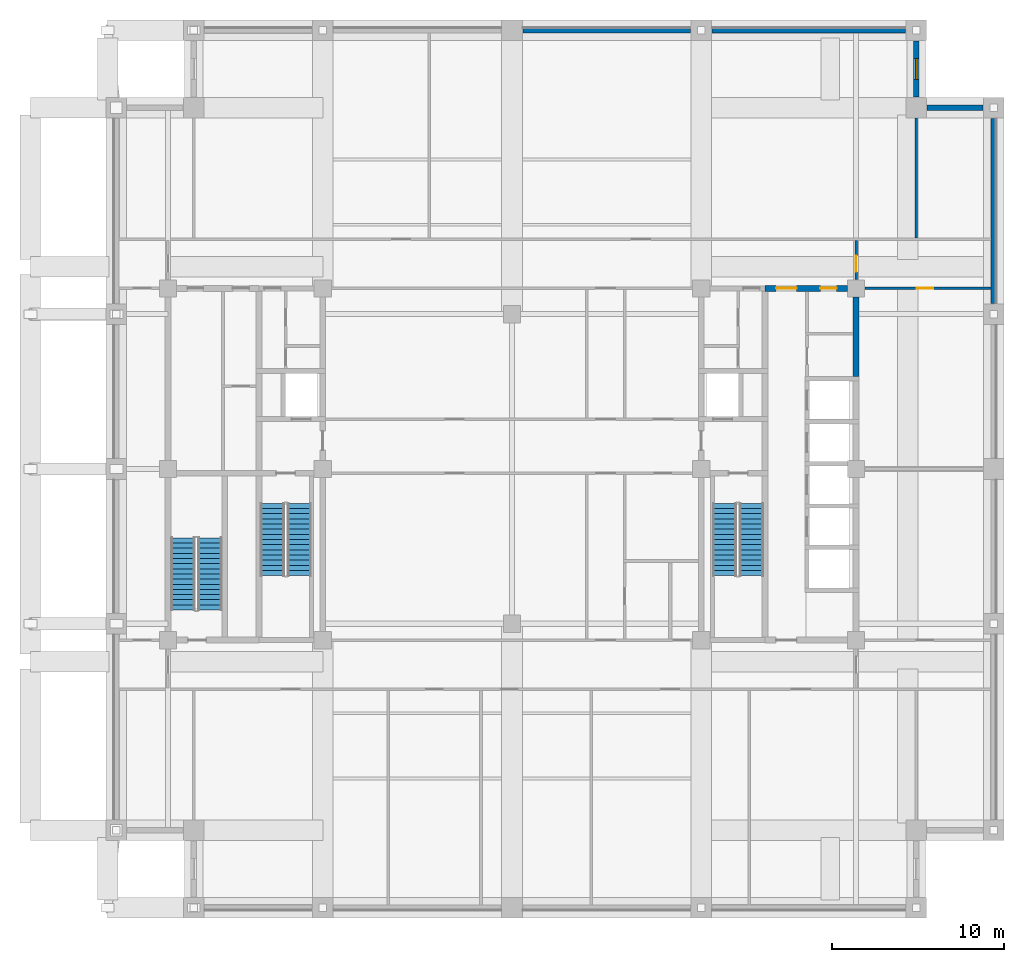
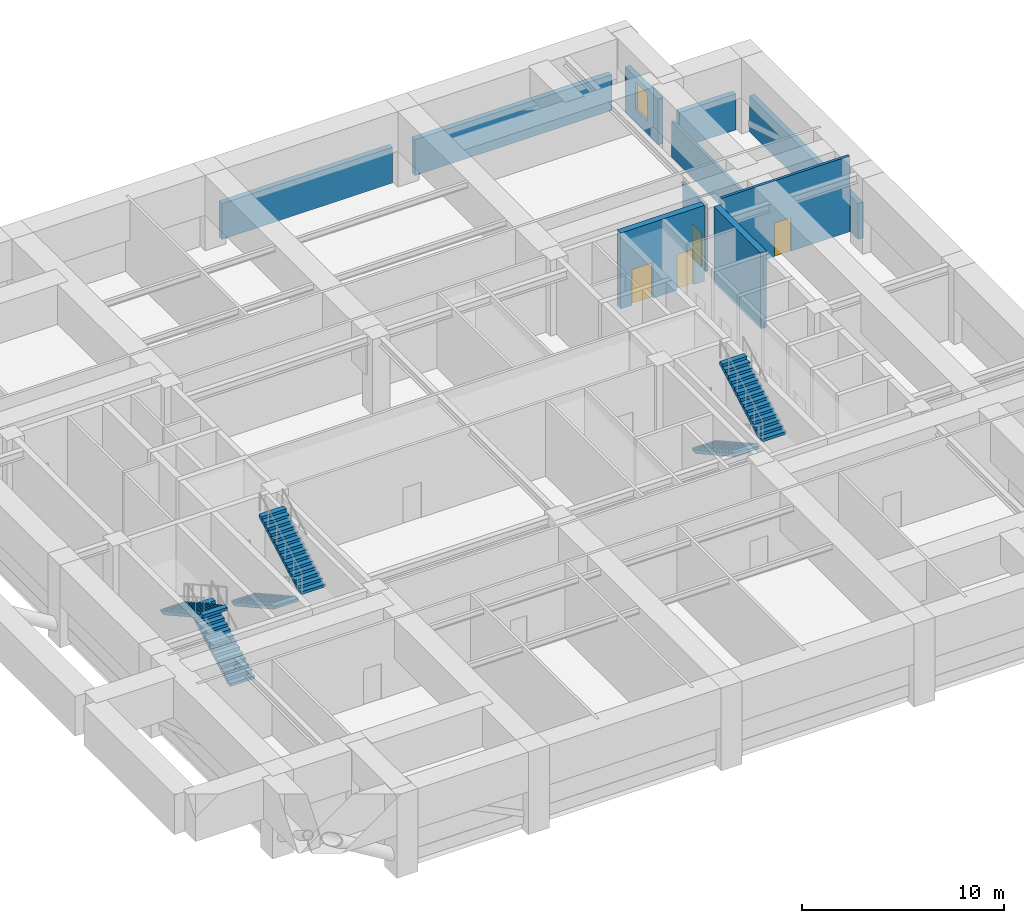
# One storey, part 6 of 11: 10 walls, 6 stair flights, 4 doors, 1 window, 5 openings, 3 elements without a shape of their own.
"""IFC4 building model written with IfcOpenShell, lengths in metres."""

import ifcopenshell
import ifcopenshell.guid

model = None  # the IFC model being written
_history = None  # IfcOwnerHistory: only IFC2X3 demands one
_inside = {}  # id of a spatial element -> (the spatial element, [elements in it])
_under = {}  # id of a project, library or spatial element -> (it, [spatial elements below it])
_declared = {}  # id of a project -> (the project, [libraries it declares])
_typed = {}  # id of a type object -> (the type object, [elements of that type])
_made_of = {}  # id of a material, layer set ... -> (it, [elements and type objects made of it])


def new_model(schema):
    """Start an empty IFC model of exactly this schema.

    Asked for "IFC4X3", IfcOpenShell would pick the latest addendum, in which some entities
    have other attributes; the version numbers below select the first issue.
    IFC2X3 requires an IfcOwnerHistory on every rooted entity: one is made here for all.
    """
    global model, _history
    if schema == "IFC4X3":
        model = ifcopenshell.file(schema_version=(4, 3, 0, 0))
    else:
        model = ifcopenshell.file(schema=schema)
    _inside.clear()
    _under.clear()
    _declared.clear()
    _typed.clear()
    _made_of.clear()
    _history = None
    if model.schema == "IFC2X3":
        org = make("IfcOrganization", Name="unknown")
        user = make(
            "IfcPersonAndOrganization",
            ThePerson=make("IfcPerson", FamilyName="unknown"),
            TheOrganization=org,
        )
        app = make(
            "IfcApplication",
            ApplicationDeveloper=org,
            Version="unknown",
            ApplicationFullName="unknown",
            ApplicationIdentifier="unknown",
        )
        _history = make(
            "IfcOwnerHistory",
            OwningUser=user,
            OwningApplication=app,
            ChangeAction="ADDED",
            CreationDate=0,
        )
    return model


def make(cls, **values):
    """One entity of the class cls with the attributes given. An attribute that is None is left unset."""
    return model.create_entity(
        cls, **{name: value for name, value in values.items() if value is not None}
    )


def rooted(cls, **values):
    """An entity with a GlobalId (a new one), such as an element, a storey or a relation."""
    return make(cls, GlobalId=ifcopenshell.guid.new(), OwnerHistory=_history, **values)


def si_unit(unit_type, name, prefix=None):
    """IfcSIUnit, for example si_unit("LENGTHUNIT", "METRE", prefix="MILLI")."""
    return make("IfcSIUnit", UnitType=unit_type, Prefix=prefix, Name=name)


def assignment(units):
    """IfcUnitAssignment: the units of a project."""
    return None if units is None else make("IfcUnitAssignment", Units=units)


def point(xyz):
    """IfcCartesianPoint."""
    return None if xyz is None else make("IfcCartesianPoint", Coordinates=xyz)


def direction(xyz):
    """IfcDirection."""
    return None if xyz is None else make("IfcDirection", DirectionRatios=xyz)


def frame(location, z_axis=None, x_axis=None):
    """IfcAxis2Placement3D, a coordinate frame: its origin and axes. An axis left out is left unset."""
    return make(
        "IfcAxis2Placement3D",
        Location=point(location),
        Axis=direction(z_axis),
        RefDirection=direction(x_axis),
    )


def frame_2d(location, x_axis=None):
    """IfcAxis2Placement2D, a coordinate frame in the plane: its origin and x axis."""
    return make(
        "IfcAxis2Placement2D", Location=point(location), RefDirection=direction(x_axis)
    )


def origin():
    """The frame at (0, 0, 0) with its axes left unset."""
    return frame((0.0, 0.0, 0.0))


def place(relative_to, where):
    """IfcLocalPlacement: puts the frame where relative to a parent placement (None: the world)."""
    return make(
        "IfcLocalPlacement", PlacementRelTo=relative_to, RelativePlacement=where
    )


def context(
    kind, dimensions, precision=None, world=None, true_north=None, identifier=None
):
    """IfcGeometricRepresentationContext, for example the 3D "Model" context."""
    return make(
        "IfcGeometricRepresentationContext",
        ContextIdentifier=identifier,
        ContextType=kind,
        CoordinateSpaceDimension=dimensions,
        Precision=precision,
        WorldCoordinateSystem=world,
        TrueNorth=true_north,
    )


def subcontext(parent, identifier, kind, view, scale=None):
    """IfcGeometricRepresentationSubContext, for example "Body" below "Model"."""
    return make(
        "IfcGeometricRepresentationSubContext",
        ContextIdentifier=identifier,
        ContextType=kind,
        ParentContext=parent,
        TargetScale=scale,
        TargetView=view,
    )


def project(units=None, contexts=None):
    """IfcProject with its units and contexts."""
    return rooted(
        "IfcProject",
        Name="project",
        RepresentationContexts=contexts,
        UnitsInContext=assignment(units),
    )


def spatial(cls, under=None, at=None, **own):
    """A site, building, storey or space (cls), placed at a placement, below another one or the project."""
    s = rooted(cls, ObjectPlacement=at, **own)
    if under is not None:
        _under.setdefault(under.id(), (under, []))[1].append(s)
    return s


def polyline(points):
    """IfcPolyline through the points."""
    return make("IfcPolyline", Points=[point(p) for p in points])


def profile(cls, at=None, kind="AREA", **sizes):
    """A parametric profile (cls). Its sizes go by their IFC names, for example OverallWidth=200.0."""
    return make(cls, ProfileType=kind, Position=at, **sizes)


def rectangle(**sizes):
    """IfcRectangleProfileDef."""
    return profile("IfcRectangleProfileDef", **sizes)


def outline(outer, holes=None, kind="AREA"):
    """IfcArbitraryClosedProfileDef: a profile drawn as a closed curve; with holes, ...WithVoids."""
    if holes is None:
        return make("IfcArbitraryClosedProfileDef", ProfileType=kind, OuterCurve=outer)
    return make(
        "IfcArbitraryProfileDefWithVoids",
        ProfileType=kind,
        OuterCurve=outer,
        InnerCurves=holes,
    )


def extrude(swept, where, along, depth):
    """IfcExtrudedAreaSolid: the profile swept, set in the frame where, extruded along a direction by depth."""
    return make(
        "IfcExtrudedAreaSolid",
        SweptArea=swept,
        Position=where,
        ExtrudedDirection=direction(along),
        Depth=depth,
    )


def shape(context_of_items, identifier, shape_type, items):
    """IfcShapeRepresentation: the items that make up one representation, for example the "Body"."""
    return make(
        "IfcShapeRepresentation",
        ContextOfItems=context_of_items,
        RepresentationIdentifier=identifier,
        RepresentationType=shape_type,
        Items=items,
    )


def material(Name=None, Category=None):
    """IfcMaterial."""
    return make("IfcMaterial", Name=Name, Category=Category)


def layer(
    of_material, thickness, ventilated=None, Name=None, Category=None, Priority=None
):
    """IfcMaterialLayer: one layer of a wall or slab, of a material (None: an air gap)."""
    return make(
        "IfcMaterialLayer",
        Material=of_material,
        LayerThickness=thickness,
        IsVentilated=ventilated,
        Name=Name,
        Category=Category,
        Priority=Priority,
    )


def layer_set(layers, Name=None):
    """IfcMaterialLayerSet."""
    return make("IfcMaterialLayerSet", MaterialLayers=layers, LayerSetName=Name)


def made_of(thing, what):
    """Note that an element or type object is made of a material, layer set ...; save() writes the relation."""
    if what is not None:
        _made_of.setdefault(what.id(), (what, []))[1].append(thing)
    return thing


def type_object(cls, material=None, **own):
    """A type object (cls), such as IfcWallType, which elements share."""
    return made_of(rooted(cls, **own), material)


def element(
    cls,
    number,
    at=None,
    inside=None,
    cuts=None,
    type_object=None,
    material=None,
    context=None,
    identifier="Body",
    shape_type=None,
    held_by="IfcProductDefinitionShape",
    body=None,
    shapes=None,
    **own,
):
    """One element of the class cls, such as IfcWall. Its Tag is "e" and its number.

    at: its placement. inside: the storey or other place that contains it. cuts: it is an
    opening in that element (IfcRelVoidsElement). A single representation is given by context,
    identifier, shape_type and body (its items); several are given by shapes. held_by: the class
    of the entity that holds the representations. save() writes the other relations.
    """
    e = rooted(cls, Tag="e%d" % number, ObjectPlacement=at, **own)
    if body is not None:
        shapes = [shape(context, identifier, shape_type, body)]
    if shapes is not None:
        e.Representation = make(held_by, Representations=shapes)
    if inside is not None:
        _inside.setdefault(inside.id(), (inside, []))[1].append(e)
    if cuts is not None:
        rooted(
            "IfcRelVoidsElement", RelatingBuildingElement=cuts, RelatedOpeningElement=e
        )
    if type_object is not None:
        _typed.setdefault(type_object.id(), (type_object, []))[1].append(e)
    return made_of(e, material)


def fill(opening, filler):
    """IfcRelFillsElement: the door or window that sits in an opening."""
    return rooted(
        "IfcRelFillsElement",
        RelatingOpeningElement=opening,
        RelatedBuildingElement=filler,
    )


def aggregate(whole, parts):
    """IfcRelAggregates: a whole, such as a stair, and the parts it consists of."""
    return rooted("IfcRelAggregates", RelatingObject=whole, RelatedObjects=parts)


def save(model, path):
    """Write the relations noted so far, then the file.

    IfcRelAggregates (storeys below a building ...), IfcRelContainedInSpatialStructure (elements
    in a storey), IfcRelDefinesByType, IfcRelAssociatesMaterial and IfcRelDeclares: one each for
    every whole, place, type object, material and project.
    """
    for whole, parts in _under.values():
        aggregate(whole, parts)
    for where, things in _inside.values():
        rooted(
            "IfcRelContainedInSpatialStructure",
            RelatedElements=things,
            RelatingStructure=where,
        )
    for kind, things in _typed.values():
        rooted("IfcRelDefinesByType", RelatedObjects=things, RelatingType=kind)
    for what, things in _made_of.values():
        rooted("IfcRelAssociatesMaterial", RelatedObjects=things, RelatingMaterial=what)
    for by, libraries in _declared.values():
        rooted("IfcRelDeclares", RelatingContext=by, RelatedDefinitions=libraries)
    model.write(path)


model = new_model("IFC4")

# Units and contexts
model_context = context("Model", 3, precision=1e-05, world=origin(), true_north=direction((0.0, 1.0)))
body_context = subcontext(model_context, "Body", "Model", "MODEL_VIEW")
ifc_project = project(units=[si_unit("LENGTHUNIT", "METRE"), si_unit("AREAUNIT", "SQUARE_METRE"), si_unit("VOLUMEUNIT", "CUBIC_METRE"), si_unit("PLANEANGLEUNIT", "RADIAN"), si_unit("MASSUNIT", "GRAM", prefix="KILO")], contexts=[model_context])

# Site, building, storey
site_placement = place(None, origin())
site = spatial("IfcSite", under=ifc_project, at=site_placement, CompositionType="ELEMENT")
building_placement = place(site_placement, origin())
building = spatial("IfcBuilding", under=site, at=building_placement, Name="Zulmaris Gate Convention Tower", CompositionType="ELEMENT")
storey_placement = place(building_placement, frame((0.0, 0.0, 116.349853515625)))
storey = spatial("IfcBuildingStorey", under=building, at=storey_placement, Name="L29", CompositionType="ELEMENT", Elevation=116.349853515625)

# Wall, openings, doors
ifc_material_1 = material(Name="Concrete C55/67", Category="concrete")
ifc_layer_1 = layer(ifc_material_1, 0.35009765625, Name="Concrete C55/67")
ifc_layer_set_1 = layer_set([ifc_layer_1], Name="Concrete C55/67")
wall_type_1 = type_object("IfcWallType", Name="CORE-350", PredefinedType="SHEAR", material=ifc_layer_set_1)
wall_1_placement = place(storey_placement, frame((14.699951171875, 10.5, 0.0), z_axis=(0.0, 0.0, 1.0), x_axis=(1.0, 0.0, 0.0)))
wall_1 = element("IfcWall", 1, at=wall_1_placement, inside=storey, type_object=wall_type_1, Name="WL-L29-020", PredefinedType="SHEAR", context=body_context, shape_type="SweptSolid", body=[
    extrude(rectangle(XDim=4.796142578125, YDim=0.35009765625, at=frame_2d((2.39794921875, 0.0))), origin(), (0.0, 0.0, 1.0), 4.574951171875),
])
opening_1_placement = place(wall_1_placement, frame((0.64990234375, 0.0, 0.0)))
opening_1 = element("IfcOpeningElement", 2, at=opening_1_placement, cuts=wall_1, Name="Opening D-13", PredefinedType="OPENING", context=body_context, shape_type="SweptSolid", body=[
    extrude(rectangle(XDim=1.199951171875, YDim=2.14990234375, at=frame_2d((0.60009765625, 1.074951171875))), frame((0.0, 0.18505859375, 0.0), z_axis=(0.0, -1.0, 0.0), x_axis=(1.0, 0.0, 0.0)), (0.0, 0.0, 1.0), 0.3701171875),
])
opening_2_placement = place(wall_1_placement, frame((3.22509765625, 0.0, 0.0)))
opening_2 = element("IfcOpeningElement", 3, at=opening_2_placement, cuts=wall_1, Name="Opening D-11", PredefinedType="OPENING", context=body_context, shape_type="SweptSolid", body=[
    extrude(rectangle(XDim=0.949951171875, YDim=2.14990234375, at=frame_2d((0.47509765625, 1.074951171875))), frame((0.0, 0.18505859375, 0.0), z_axis=(0.0, -1.0, 0.0), x_axis=(1.0, 0.0, 0.0)), (0.0, 0.0, 1.0), 0.3701171875),
])
ifc_material_2 = material(Name="Fire-Rated Steel", Category="steel")
door_type_1 = type_object("IfcDoorType", Name="DR-1200-FD", OperationType="NOTDEFINED", PredefinedType="DOOR", material=ifc_material_2)
door_1_placement = place(opening_1_placement, origin())
door_1 = element("IfcDoor", 4, at=door_1_placement, inside=storey, type_object=door_type_1, Name="L29 East Lift Lobby North Door 22", OperationType="SINGLE_SWING_LEFT", OverallHeight=2.14990234375, OverallWidth=1.199951171875, PredefinedType="DOOR", context=body_context, shape_type="SweptSolid", body=[
    extrude(rectangle(XDim=1.199951171875, YDim=2.14990234375, at=frame_2d((0.60009765625, 1.074951171875))), frame((0.0, 0.02490234375, 0.0), z_axis=(0.0, -1.0, 0.0), x_axis=(1.0, 0.0, 0.0)), (0.0, 0.0, 1.0), 0.050048828125),
])
fill(opening_1, door_1)
ifc_material_3 = material(Name="Fire-Rated Timber", Category="wood")
door_type_2 = type_object("IfcDoorType", Name="DR-950-FD", OperationType="NOTDEFINED", PredefinedType="DOOR", material=ifc_material_3)
door_2_placement = place(opening_2_placement, origin())
door_2 = element("IfcDoor", 5, at=door_2_placement, inside=storey, type_object=door_type_2, Name="L29 Mid-Rise Supply Door 23", OperationType="SINGLE_SWING_RIGHT", OverallHeight=2.14990234375, OverallWidth=0.949951171875, PredefinedType="DOOR", context=body_context, shape_type="SweptSolid", body=[
    extrude(rectangle(XDim=0.949951171875, YDim=2.14990234375, at=frame_2d((0.47509765625, 1.074951171875))), frame((0.0, 0.02490234375, 0.0), z_axis=(0.0, -1.0, 0.0), x_axis=(1.0, 0.0, 0.0)), (0.0, 0.0, 1.0), 0.050048828125),
])
fill(opening_2, door_2)

# Wall
wall_2_placement = place(storey_placement, frame((20.0, 5.376953125, 0.0), z_axis=(0.0, 0.0, 1.0), x_axis=(0.0, 1.0, 0.0)))
element("IfcWall", 6, at=wall_2_placement, inside=storey, type_object=wall_type_1, Name="WL-L29-071", PredefinedType="SHEAR", context=body_context, shape_type="SweptSolid", body=[
    extrude(rectangle(XDim=4.619140625, YDim=0.35009765625, at=frame_2d((2.3095703125, 0.0))), origin(), (0.0, 0.0, 1.0), 4.574951171875),
])

# Wall, opening, door
ifc_material_4 = material(Name="Gypsum Metal Stud Partition")
ifc_layer_2 = layer(ifc_material_4, 0.14990234375, Name="Gypsum Metal Stud Partition")
ifc_layer_set_2 = layer_set([ifc_layer_2], Name="Gypsum Metal Stud Partition")
wall_type_2 = type_object("IfcWallType", Name="PART-150", PredefinedType="PARTITIONING", material=ifc_layer_set_2)
wall_3_placement = place(storey_placement, frame((20.506103515625, 10.5, 0.0), z_axis=(0.0, 0.0, 1.0), x_axis=(1.0, 0.0, 0.0)))
wall_3 = element("IfcWall", 7, at=wall_3_placement, inside=storey, type_object=wall_type_2, Name="WL-L29-035", PredefinedType="PARTITIONING", context=body_context, shape_type="SweptSolid", body=[
    extrude(rectangle(XDim=7.328857421875, YDim=0.14990234375, at=frame_2d((3.66455078125, 0.0))), origin(), (0.0, 0.0, 1.0), 4.574951171875),
])
opening_3_placement = place(wall_3_placement, frame((3.01904296875, 0.0, 0.0)))
opening_3 = element("IfcOpeningElement", 8, at=opening_3_placement, cuts=wall_3, Name="Opening D-25", PredefinedType="OPENING", context=body_context, shape_type="SweptSolid", body=[
    extrude(rectangle(XDim=0.949951171875, YDim=2.02001953125, at=frame_2d((0.47509765625, 1.010009765625))), frame((0.0, 0.0849609375, 0.0), z_axis=(0.0, -1.0, 0.0), x_axis=(1.0, 0.0, 0.0)), (0.0, 0.0, 1.0), 0.169921875),
])
door_type_3 = type_object("IfcDoorType", Name="DR-950-LOW-FD", OperationType="NOTDEFINED", PredefinedType="DOOR", material=ifc_material_2)
door_3_placement = place(opening_3_placement, origin())
door_3 = element("IfcDoor", 9, at=door_3_placement, inside=storey, type_object=door_type_3, Name="L29 NE Partner Door 48", OperationType="SINGLE_SWING_LEFT", OverallHeight=2.02001953125, OverallWidth=0.949951171875, PredefinedType="DOOR", context=body_context, shape_type="SweptSolid", body=[
    extrude(rectangle(XDim=0.949951171875, YDim=2.02001953125, at=frame_2d((0.47509765625, 1.010009765625))), frame((0.0, 0.02490234375, 0.0), z_axis=(0.0, -1.0, 0.0), x_axis=(1.0, 0.0, 0.0)), (0.0, 0.0, 1.0), 0.050048828125),
])
fill(opening_3, door_3)

wall_4_placement = place(storey_placement, frame((20.0, 11.006103515625, 0.0), z_axis=(0.0, 0.0, 1.0), x_axis=(0.0, 1.0, 0.0)))
wall_4 = element("IfcWall", 10, at=wall_4_placement, inside=storey, type_object=wall_type_2, Name="WL-L29-096", PredefinedType="PARTITIONING", context=body_context, shape_type="SweptSolid", body=[
    extrude(rectangle(XDim=2.265869140625, YDim=0.14990234375, at=frame_2d((1.1328125, 0.0))), origin(), (0.0, 0.0, 1.0), 4.030029296875),
])
opening_4_placement = place(wall_4_placement, frame((0.448974609375, 0.0, 0.0)))
opening_4 = element("IfcOpeningElement", 11, at=opening_4_placement, cuts=wall_4, Name="Opening D-25", PredefinedType="OPENING", context=body_context, shape_type="SweptSolid", body=[
    extrude(rectangle(XDim=0.949951171875, YDim=2.02001953125, at=frame_2d((0.47509765625, 1.010009765625))), frame((0.0, 0.0849609375, 0.0), z_axis=(0.0, -1.0, 0.0), x_axis=(1.0, 0.0, 0.0)), (0.0, 0.0, 1.0), 0.169921875),
])
door_4_placement = place(opening_4_placement, origin())
door_4 = element("IfcDoor", 12, at=door_4_placement, inside=storey, type_object=door_type_3, Name="L29 NE Spur Door 46", OperationType="SINGLE_SWING_LEFT", OverallHeight=2.02001953125, OverallWidth=0.949951171875, PredefinedType="DOOR", context=body_context, shape_type="SweptSolid", body=[
    extrude(rectangle(XDim=0.949951171875, YDim=2.02001953125, at=frame_2d((0.47509765625, 1.010009765625))), frame((0.0, 0.02490234375, 0.0), z_axis=(0.0, -1.0, 0.0), x_axis=(1.0, 0.0, 0.0)), (0.0, 0.0, 1.0), 0.050048828125),
])
fill(opening_4, door_4)

# Walls
wall_5_placement = place(storey_placement, frame((23.5, 13.427978515625, 0.0), z_axis=(0.0, 0.0, 1.0), x_axis=(0.0, 1.0, 0.0)))
element("IfcWall", 13, at=wall_5_placement, inside=storey, type_object=wall_type_2, Name="WL-L29-098", PredefinedType="PARTITIONING", context=body_context, shape_type="SweptSolid", body=[
    extrude(rectangle(XDim=6.966064453125, YDim=0.14990234375, at=frame_2d((3.48291015625, 0.0))), origin(), (0.0, 0.0, 1.0), 2.1669921875),
])
ifc_material_5 = material(Name="Precast concrete C40/50", Category="concrete")
ifc_layer_3 = layer(ifc_material_5, 0.300048828125, Name="Precast concrete C40/50")
ifc_layer_set_3 = layer_set([ifc_layer_3], Name="Precast concrete C40/50")
wall_type_3 = type_object("IfcWallType", Name="PRECAST-PIER-300", PredefinedType="STANDARD", material=ifc_layer_set_3)
wall_6_placement = place(storey_placement, frame((27.3701171875, 21.0, 0.0), z_axis=(0.0, 0.0, 1.0), x_axis=(-1.0, 0.0, 0.0)))
element("IfcWall", 14, at=wall_6_placement, inside=storey, type_object=wall_type_3, Name="EW-L29-NOTCH-NE1_0", PredefinedType="STANDARD", context=body_context, shape_type="SweptSolid", body=[
    extrude(rectangle(XDim=3.240234375, YDim=0.300048828125, at=frame_2d((1.6201171875, 0.0))), origin(), (0.0, 0.0, 1.0), 2.1669921875),
])

# Wall, opening, window
wall_7_placement = place(storey_placement, frame((23.5, 21.6298828125, 0.0), z_axis=(0.0, 0.0, 1.0), x_axis=(0.0, 1.0, 0.0)))
wall_7 = element("IfcWall", 15, at=wall_7_placement, inside=storey, type_object=wall_type_3, Name="EW-L29-NOTCH-NE2_0", PredefinedType="STANDARD", context=body_context, shape_type="SweptSolid", body=[
    extrude(rectangle(XDim=3.240234375, YDim=0.300048828125, at=frame_2d((1.6201171875, 0.0))), origin(), (0.0, 0.0, 1.0), 2.76708984375),
])
opening_5_placement = place(wall_7_placement, frame((1.02001953125, 0.0, 0.820068359375)))
opening_5 = element("IfcOpeningElement", 16, at=opening_5_placement, cuts=wall_7, Name="Opening W-04", PredefinedType="OPENING", context=body_context, shape_type="SweptSolid", body=[
    extrude(rectangle(XDim=1.199951171875, YDim=1.64990234375, at=frame_2d((0.60009765625, 0.824951171875))), frame((0.0, 0.16015625, 0.0), z_axis=(0.0, -1.0, 0.0), x_axis=(1.0, 0.0, 0.0)), (0.0, 0.0, 1.0), 0.320068359375),
])
ifc_material_6 = material(Name="Low-E Laminated Double Glazing in Aluminium Frame", Category="aluminium")
window_type = type_object("IfcWindowType", Name="WIN-1200x2100", PartitioningType="SINGLE_PANEL", PredefinedType="WINDOW", material=ifc_material_6)
window_placement = place(opening_5_placement, origin())
window = element("IfcWindow", 17, at=window_placement, inside=storey, type_object=window_type, Name="WN-EW-L29-NOTCH-NE2_0", OverallHeight=1.64990234375, OverallWidth=1.199951171875, PartitioningType="SINGLE_PANEL", PredefinedType="WINDOW", context=body_context, shape_type="SweptSolid", body=[
    extrude(rectangle(XDim=1.199951171875, YDim=1.64990234375, at=frame_2d((0.60009765625, 0.824951171875))), frame((0.0, 0.030029296875, 0.0), z_axis=(0.0, -1.0, 0.0), x_axis=(1.0, 0.0, 0.0)), (0.0, 0.0, 1.0), 0.06005859375),
])
fill(opening_5, window)

# Walls
wall_8_placement = place(storey_placement, frame((10.3701171875, 25.5, 0.0), z_axis=(0.0, 0.0, 1.0), x_axis=(-1.0, 0.0, 0.0)))
element("IfcWall", 18, at=wall_8_placement, inside=storey, type_object=wall_type_3, Name="EW-L29-N-2_0", PredefinedType="STANDARD", context=body_context, shape_type="SweptSolid", body=[
    extrude(rectangle(XDim=9.740234375, YDim=0.300048828125, at=frame_2d((4.8701171875, 0.0))), origin(), (0.0, 0.0, 1.0), 2.1669921875),
])
wall_9_placement = place(storey_placement, frame((22.8701171875, 25.5, 0.0), z_axis=(0.0, 0.0, 1.0), x_axis=(-1.0, 0.0, 0.0)))
element("IfcWall", 19, at=wall_9_placement, inside=storey, type_object=wall_type_3, Name="EW-L29-N-3_0", PredefinedType="STANDARD", context=body_context, shape_type="SweptSolid", body=[
    extrude(rectangle(XDim=11.240234375, YDim=0.300048828125, at=frame_2d((5.6201171875, 0.0))), origin(), (0.0, 0.0, 1.0), 2.1669921875),
])
wall_10_placement = place(storey_placement, frame((28.0, 9.6298828125, 0.0), z_axis=(0.0, 0.0, 1.0), x_axis=(0.0, 1.0, 0.0)))
element("IfcWall", 20, at=wall_10_placement, inside=storey, type_object=wall_type_3, Name="EW-L29-E-3_0", PredefinedType="STANDARD", context=body_context, shape_type="SweptSolid", body=[
    extrude(rectangle(XDim=10.740234375, YDim=0.300048828125, at=frame_2d((5.3701171875, 0.0))), origin(), (0.0, 0.0, 1.0), 2.1669921875),
])

# Stair, stair flights
ifc_material_7 = material(Name="Concrete C45/55", Category="concrete")
stair_type = type_object("IfcStairType", Name="ST-CORE-DOGLEG", PredefinedType="HALF_TURN_STAIR", material=ifc_material_7)
stair_1_placement = place(storey_placement, origin())
stair_1 = element("IfcStair", 21, at=stair_1_placement, inside=storey, type_object=stair_type, Name="L29 Core Exit Stair ST-1", PredefinedType="HALF_TURN_STAIR")
ifc_layer_4 = layer(ifc_material_7, 0.14990234375, Name="Concrete C45/55")
ifc_layer_set_4 = layer_set([ifc_layer_4], Name="Concrete C45/55")
stair_flight_type = type_object("IfcStairFlightType", Name="STF-RC150", PredefinedType="STRAIGHT", material=ifc_layer_set_4)
stair_flight_1_placement = place(storey_placement, frame((-13.919921875, -2.0, 0.0), z_axis=(0.0, 0.0, 1.0), x_axis=(0.0, -1.0, 0.0)))
stair_flight_1 = element("IfcStairFlight", 22, at=stair_flight_1_placement, type_object=stair_flight_type, Name="ST-1 flight 1", NumberOfRisers=15, NumberOfTreads=14, PredefinedType="STRAIGHT", RiserHeight=0.166666667, TreadLength=0.3, context=body_context, shape_type="SweptSolid", body=[
    extrude(outline(polyline([(0.0, 0.0), (0.0, 0.166748046875), (0.300048828125, 0.166748046875), (0.300048828125, 0.333251953125), (0.60009765625, 0.333251953125), (0.60009765625, 0.5), (0.89990234375, 0.5), (0.89990234375, 0.666748046875), (1.199951171875, 0.666748046875), (1.199951171875, 0.833251953125), (1.5, 0.833251953125), (1.5, 1.0), (1.800048828125, 1.0), (1.800048828125, 1.166748046875), (2.10009765625, 1.166748046875), (2.10009765625, 1.333251953125), (2.39990234375, 1.333251953125), (2.39990234375, 1.5), (2.699951171875, 1.5), (2.699951171875, 1.666748046875), (3.0, 1.666748046875), (3.0, 1.833251953125), (3.300048828125, 1.833251953125), (3.300048828125, 2.0), (3.60009765625, 2.0), (3.60009765625, 2.166748046875), (3.89990234375, 2.166748046875), (3.89990234375, 2.333251953125), (4.199951171875, 2.333251953125), (4.199951171875, 2.5), (4.199951171875, 2.161865234375), (0.30859375, 0.0), (0.0, 0.0)])), frame((0.0, 0.699951171875, 0.0), z_axis=(0.0, -1.0, 0.0), x_axis=(1.0, 0.0, 0.0)), (0.0, 0.0, 1.0), 1.39990234375),
])
stair_flight_2_placement = place(storey_placement, frame((-12.360107421875, -6.199951171875, 2.5), z_axis=(0.0, 0.0, 1.0), x_axis=(0.0, 1.0, 0.0)))
stair_flight_2 = element("IfcStairFlight", 23, at=stair_flight_2_placement, type_object=stair_flight_type, Name="ST-1 flight 2", NumberOfRisers=15, NumberOfTreads=14, PredefinedType="STRAIGHT", RiserHeight=0.166666667, TreadLength=0.3, context=body_context, shape_type="SweptSolid", body=[
    extrude(outline(polyline([(0.0, 0.0), (0.0, 0.166748046875), (0.300048828125, 0.166748046875), (0.300048828125, 0.333251953125), (0.60009765625, 0.333251953125), (0.60009765625, 0.5), (0.89990234375, 0.5), (0.89990234375, 0.666748046875), (1.199951171875, 0.666748046875), (1.199951171875, 0.833251953125), (1.5, 0.833251953125), (1.5, 1.0), (1.800048828125, 1.0), (1.800048828125, 1.166748046875), (2.10009765625, 1.166748046875), (2.10009765625, 1.333251953125), (2.39990234375, 1.333251953125), (2.39990234375, 1.5), (2.699951171875, 1.5), (2.699951171875, 1.666748046875), (3.0, 1.666748046875), (3.0, 1.833251953125), (3.300048828125, 1.833251953125), (3.300048828125, 2.0), (3.60009765625, 2.0), (3.60009765625, 2.166748046875), (3.89990234375, 2.166748046875), (3.89990234375, 2.333251953125), (4.199951171875, 2.333251953125), (4.199951171875, 2.5), (4.199951171875, 2.161865234375), (0.30859375, 0.0), (0.0, 0.0)])), frame((0.0, 0.699951171875, 0.0), z_axis=(0.0, -1.0, 0.0), x_axis=(1.0, 0.0, 0.0)), (0.0, 0.0, 1.0), 1.39990234375),
])
aggregate(stair_1, [stair_flight_1, stair_flight_2])

stair_2_placement = place(storey_placement, origin())
stair_2 = element("IfcStair", 24, at=stair_2_placement, inside=storey, type_object=stair_type, Name="L29 Core Exit Stair ST-2", PredefinedType="HALF_TURN_STAIR")
stair_flight_3_placement = place(storey_placement, frame((12.360107421875, -2.0, 0.0), z_axis=(0.0, 0.0, 1.0), x_axis=(0.0, -1.0, 0.0)))
stair_flight_3 = element("IfcStairFlight", 25, at=stair_flight_3_placement, type_object=stair_flight_type, Name="ST-2 flight 1", NumberOfRisers=15, NumberOfTreads=14, PredefinedType="STRAIGHT", RiserHeight=0.166666667, TreadLength=0.3, context=body_context, shape_type="SweptSolid", body=[
    extrude(outline(polyline([(0.0, 0.0), (0.0, 0.166748046875), (0.300048828125, 0.166748046875), (0.300048828125, 0.333251953125), (0.60009765625, 0.333251953125), (0.60009765625, 0.5), (0.89990234375, 0.5), (0.89990234375, 0.666748046875), (1.199951171875, 0.666748046875), (1.199951171875, 0.833251953125), (1.5, 0.833251953125), (1.5, 1.0), (1.800048828125, 1.0), (1.800048828125, 1.166748046875), (2.10009765625, 1.166748046875), (2.10009765625, 1.333251953125), (2.39990234375, 1.333251953125), (2.39990234375, 1.5), (2.699951171875, 1.5), (2.699951171875, 1.666748046875), (3.0, 1.666748046875), (3.0, 1.833251953125), (3.300048828125, 1.833251953125), (3.300048828125, 2.0), (3.60009765625, 2.0), (3.60009765625, 2.166748046875), (3.89990234375, 2.166748046875), (3.89990234375, 2.333251953125), (4.199951171875, 2.333251953125), (4.199951171875, 2.5), (4.199951171875, 2.161865234375), (0.30859375, 0.0), (0.0, 0.0)])), frame((0.0, 0.699951171875, 0.0), z_axis=(0.0, -1.0, 0.0), x_axis=(1.0, 0.0, 0.0)), (0.0, 0.0, 1.0), 1.39990234375),
])
stair_flight_4_placement = place(storey_placement, frame((13.919921875, -6.199951171875, 2.5), z_axis=(0.0, 0.0, 1.0), x_axis=(0.0, 1.0, 0.0)))
stair_flight_4 = element("IfcStairFlight", 26, at=stair_flight_4_placement, type_object=stair_flight_type, Name="ST-2 flight 2", NumberOfRisers=15, NumberOfTreads=14, PredefinedType="STRAIGHT", RiserHeight=0.166666667, TreadLength=0.3, context=body_context, shape_type="SweptSolid", body=[
    extrude(outline(polyline([(0.0, 0.0), (0.0, 0.166748046875), (0.300048828125, 0.166748046875), (0.300048828125, 0.333251953125), (0.60009765625, 0.333251953125), (0.60009765625, 0.5), (0.89990234375, 0.5), (0.89990234375, 0.666748046875), (1.199951171875, 0.666748046875), (1.199951171875, 0.833251953125), (1.5, 0.833251953125), (1.5, 1.0), (1.800048828125, 1.0), (1.800048828125, 1.166748046875), (2.10009765625, 1.166748046875), (2.10009765625, 1.333251953125), (2.39990234375, 1.333251953125), (2.39990234375, 1.5), (2.699951171875, 1.5), (2.699951171875, 1.666748046875), (3.0, 1.666748046875), (3.0, 1.833251953125), (3.300048828125, 1.833251953125), (3.300048828125, 2.0), (3.60009765625, 2.0), (3.60009765625, 2.166748046875), (3.89990234375, 2.166748046875), (3.89990234375, 2.333251953125), (4.199951171875, 2.333251953125), (4.199951171875, 2.5), (4.199951171875, 2.161865234375), (0.30859375, 0.0), (0.0, 0.0)])), frame((0.0, 0.699951171875, 0.0), z_axis=(0.0, -1.0, 0.0), x_axis=(1.0, 0.0, 0.0)), (0.0, 0.0, 1.0), 1.39990234375),
])
aggregate(stair_2, [stair_flight_3, stair_flight_4])

stair_3_placement = place(storey_placement, origin())
stair_3 = element("IfcStair", 27, at=stair_3_placement, inside=storey, type_object=stair_type, Name="L29 Core Exit Stair ST-3", PredefinedType="HALF_TURN_STAIR")
stair_flight_5_placement = place(storey_placement, frame((-17.56005859375, -8.199951171875, 0.0), z_axis=(0.0, 0.0, 1.0), x_axis=(0.0, 1.0, 0.0)))
stair_flight_5 = element("IfcStairFlight", 28, at=stair_flight_5_placement, type_object=stair_flight_type, Name="ST-3 flight 1", NumberOfRisers=15, NumberOfTreads=14, PredefinedType="STRAIGHT", RiserHeight=0.166666667, TreadLength=0.3, context=body_context, shape_type="SweptSolid", body=[
    extrude(outline(polyline([(0.0, 0.0), (0.0, 0.166748046875), (0.300048828125, 0.166748046875), (0.300048828125, 0.333251953125), (0.60009765625, 0.333251953125), (0.60009765625, 0.5), (0.89990234375, 0.5), (0.89990234375, 0.666748046875), (1.199951171875, 0.666748046875), (1.199951171875, 0.833251953125), (1.5, 0.833251953125), (1.5, 1.0), (1.800048828125, 1.0), (1.800048828125, 1.166748046875), (2.10009765625, 1.166748046875), (2.10009765625, 1.333251953125), (2.39990234375, 1.333251953125), (2.39990234375, 1.5), (2.699951171875, 1.5), (2.699951171875, 1.666748046875), (3.0, 1.666748046875), (3.0, 1.833251953125), (3.300048828125, 1.833251953125), (3.300048828125, 2.0), (3.60009765625, 2.0), (3.60009765625, 2.166748046875), (3.89990234375, 2.166748046875), (3.89990234375, 2.333251953125), (4.199951171875, 2.333251953125), (4.199951171875, 2.5), (4.199951171875, 2.161865234375), (0.30859375, 0.0), (0.0, 0.0)])), frame((0.0, 0.699951171875, 0.0), z_axis=(0.0, -1.0, 0.0), x_axis=(1.0, 0.0, 0.0)), (0.0, 0.0, 1.0), 1.39990234375),
])
stair_flight_6_placement = place(storey_placement, frame((-19.1201171875, -4.0, 2.5), z_axis=(0.0, 0.0, 1.0), x_axis=(0.0, -1.0, 0.0)))
stair_flight_6 = element("IfcStairFlight", 29, at=stair_flight_6_placement, type_object=stair_flight_type, Name="ST-3 flight 2", NumberOfRisers=15, NumberOfTreads=14, PredefinedType="STRAIGHT", RiserHeight=0.166666667, TreadLength=0.3, context=body_context, shape_type="SweptSolid", body=[
    extrude(outline(polyline([(0.0, 0.0), (0.0, 0.166748046875), (0.300048828125, 0.166748046875), (0.300048828125, 0.333251953125), (0.60009765625, 0.333251953125), (0.60009765625, 0.5), (0.89990234375, 0.5), (0.89990234375, 0.666748046875), (1.199951171875, 0.666748046875), (1.199951171875, 0.833251953125), (1.5, 0.833251953125), (1.5, 1.0), (1.800048828125, 1.0), (1.800048828125, 1.166748046875), (2.10009765625, 1.166748046875), (2.10009765625, 1.333251953125), (2.39990234375, 1.333251953125), (2.39990234375, 1.5), (2.699951171875, 1.5), (2.699951171875, 1.666748046875), (3.0, 1.666748046875), (3.0, 1.833251953125), (3.300048828125, 1.833251953125), (3.300048828125, 2.0), (3.60009765625, 2.0), (3.60009765625, 2.166748046875), (3.89990234375, 2.166748046875), (3.89990234375, 2.333251953125), (4.199951171875, 2.333251953125), (4.199951171875, 2.5), (4.199951171875, 2.161865234375), (0.30859375, 0.0), (0.0, 0.0)])), frame((0.0, 0.699951171875, 0.0), z_axis=(0.0, -1.0, 0.0), x_axis=(1.0, 0.0, 0.0)), (0.0, 0.0, 1.0), 1.39990234375),
])
aggregate(stair_3, [stair_flight_5, stair_flight_6])

save(model, "model.ifc")
